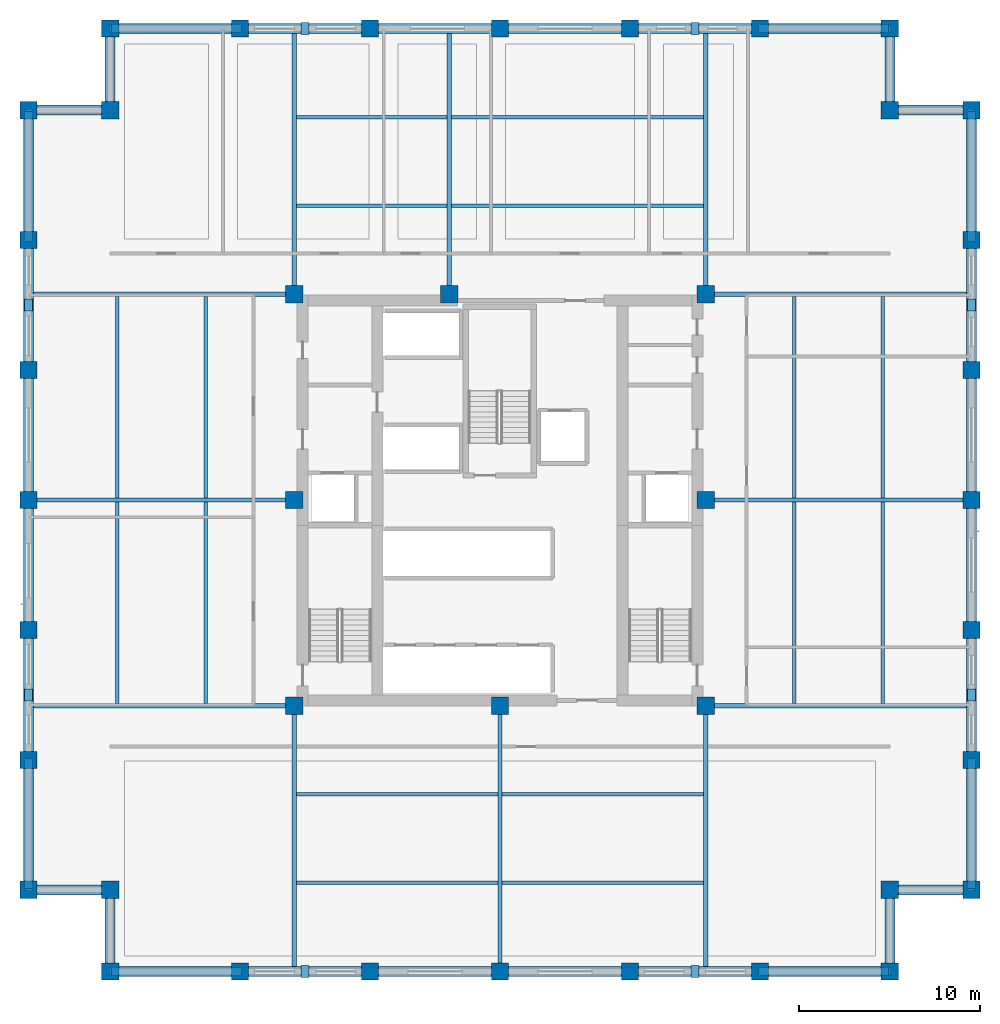
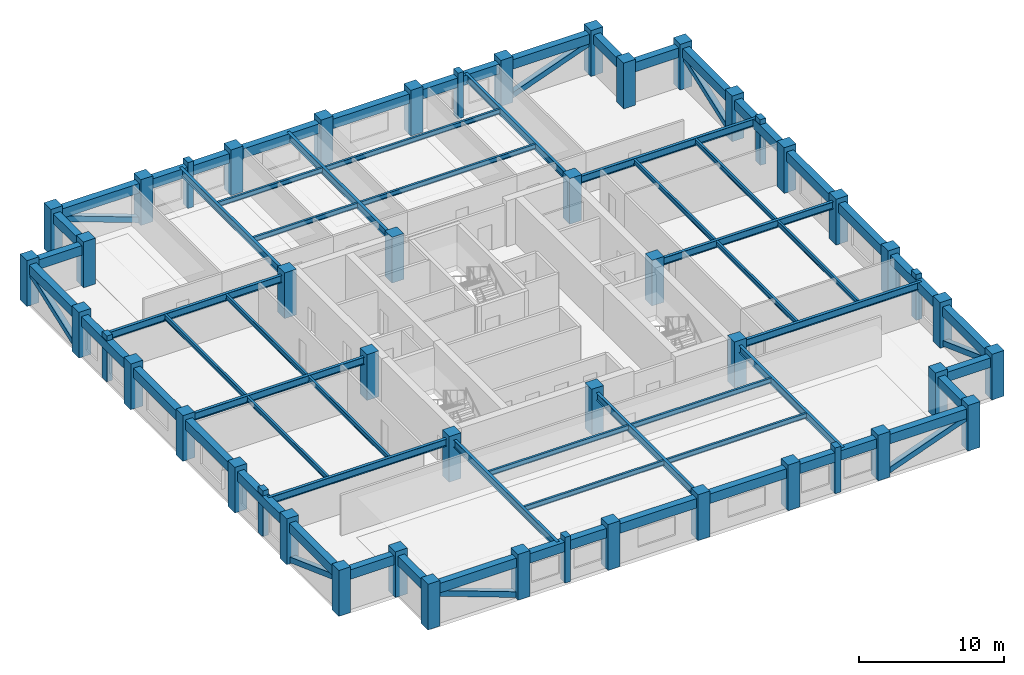
# One storey, part 1 of 12: 60 beams, 40 columns, 16 members.
"""IFC4 building model written with IfcOpenShell, lengths in metres."""

from ifc_helpers import new_model, si_unit, direction, frame, origin, origin_2d, place, context, subcontext, project, spatial, rectangle, hollow_rectangle, i_section, extrude, material, material_profile, profile_set, type_object, element, save


model = new_model("IFC4")

# Units and contexts
model_context = context("Model", 3, precision=1e-05, world=origin(), true_north=direction((0.0, 1.0)))
body_context = subcontext(model_context, "Body", "Model", "MODEL_VIEW")
ifc_project = project(units=[si_unit("LENGTHUNIT", "METRE"), si_unit("AREAUNIT", "SQUARE_METRE"), si_unit("VOLUMEUNIT", "CUBIC_METRE"), si_unit("PLANEANGLEUNIT", "RADIAN"), si_unit("MASSUNIT", "GRAM", prefix="KILO")], contexts=[model_context])

# Site, building, storey
site_placement = place(None, origin())
site = spatial("IfcSite", under=ifc_project, at=site_placement, CompositionType="ELEMENT")
building_placement = place(site_placement, origin())
building = spatial("IfcBuilding", under=site, at=building_placement, Name="Nhamokura Convention Tower", CompositionType="ELEMENT")
storey_placement = place(building_placement, frame((0.0, 0.0, 110.60009765625)))
storey = spatial("IfcBuildingStorey", under=building, at=storey_placement, Name="L26", CompositionType="ELEMENT", Elevation=110.60009765625)

# Columns
ifc_material_1 = material(Name="Concrete C60/75", Category="concrete")
ifc_material_profile_1 = material_profile(ifc_material_1, rectangle(XDim=0.949951171875, YDim=0.949951171875, at=origin_2d()))
ifc_profile_set_1 = profile_set([ifc_material_profile_1], Name="Concrete C60/75")
column_type = type_object("IfcColumnType", Name="TubeColumn_Z2_950", PredefinedType="COLUMN", material=ifc_profile_set_1)
for number, where, z_axis, x_axis, name in (
    (1, (20.64990234375, 20.64990234375, 0.0), (0.0, 0.0, 1.0), (1.0, 0.0, 0.0), "L26 Core Column CC-SW"),
    (2, (32.0, 20.64990234375, 0.0), (0.0, 0.0, 1.0), (1.0, 0.0, 0.0), "L26 Core Column CC-S"),
    (3, (43.35009765625, 20.64990234375, 0.0), (0.0, 0.0, 1.0), (1.0, 0.0, 0.0), "L26 Core Column CC-SE"),
    (4, (43.35009765625, 32.0, 0.0), (0.0, 0.0, 1.0), (1.0, 0.0, 0.0), "L26 Core Column CC-E"),
    (5, (43.35009765625, 43.35009765625, 0.0), (0.0, 0.0, 1.0), (1.0, 0.0, 0.0), "L26 Core Column CC-NE"),
    (6, (29.199951171875, 43.35009765625, 0.0), (0.0, 0.0, 1.0), (1.0, 0.0, 0.0), "L26 Core Column CC-N"),
    (7, (20.64990234375, 43.35009765625, 0.0), (0.0, 0.0, 1.0), (1.0, 0.0, 0.0), "L26 Core Column CC-NW"),
    (8, (20.64990234375, 32.0, 0.0), (0.0, 0.0, 1.0), (1.0, 0.0, 0.0), "L26 Core Column CC-W"),
    (9, (10.5, 6.0, 0.0), (0.0, 0.0, 1.0), (1.0, 0.0, 0.0), "L26 Perimeter Tube Column SW1"),
    (10, (10.5, 10.5, 0.0), (0.0, 0.0, 1.0), (1.0, 0.0, 0.0), "L26 Perimeter Tube Column SW0"),
    (11, (6.0, 10.5, 0.0), (0.0, 0.0, 1.0), (1.0, 0.0, 0.0), "L26 Perimeter Tube Column SW2"),
    (12, (53.5, 6.0, 0.0), (0.0, 0.0, 1.0), (1.0, 0.0, 0.0), "L26 Perimeter Tube Column SE1"),
    (13, (53.5, 10.5, 0.0), (0.0, 0.0, 1.0), (1.0, 0.0, 0.0), "L26 Perimeter Tube Column SE0"),
    (14, (58.0, 10.5, 0.0), (0.0, 0.0, 1.0), (1.0, 0.0, 0.0), "L26 Perimeter Tube Column SE2"),
    (15, (58.0, 53.5, 0.0), (0.0, 0.0, 1.0), (1.0, 0.0, 0.0), "L26 Perimeter Tube Column NE1"),
    (16, (53.5, 53.5, 0.0), (0.0, 0.0, 1.0), (1.0, 0.0, 0.0), "L26 Perimeter Tube Column NE0"),
    (17, (53.5, 58.0, 0.0), (0.0, 0.0, 1.0), (1.0, 0.0, 0.0), "L26 Perimeter Tube Column NE2"),
    (18, (10.5, 58.0, 0.0), (0.0, 0.0, 1.0), (1.0, 0.0, 0.0), "L26 Perimeter Tube Column NW1"),
    (19, (10.5, 53.5, 0.0), (0.0, 0.0, 1.0), (1.0, 0.0, 0.0), "L26 Perimeter Tube Column NW0"),
    (20, (6.0, 53.5, 0.0), (0.0, 0.0, 1.0), (1.0, 0.0, 0.0), "L26 Perimeter Tube Column NW2"),
    (21, (17.666748046875, 6.0, 0.0), (0.0, 0.0, 1.0), (1.0, 0.0, 0.0), "L26 Perimeter Tube Column S1"),
    (22, (17.666748046875, 58.0, 0.0), (0.0, 0.0, 1.0), (1.0, 0.0, 0.0), "L26 Perimeter Tube Column N1"),
    (23, (6.0, 17.666748046875, 0.0), (0.0, 0.0, 1.0), (1.0, 0.0, 0.0), "L26 Perimeter Tube Column W1"),
    (24, (58.0, 17.666748046875, 0.0), (0.0, 0.0, 1.0), (1.0, 0.0, 0.0), "L26 Perimeter Tube Column E1"),
    (25, (24.833251953125, 6.0, 0.0), (0.0, 0.0, 1.0), (1.0, 0.0, 0.0), "L26 Perimeter Tube Column S2"),
    (26, (24.833251953125, 58.0, 0.0), (0.0, 0.0, 1.0), (1.0, 0.0, 0.0), "L26 Perimeter Tube Column N2"),
    (27, (6.0, 24.833251953125, 0.0), (0.0, 0.0, 1.0), (1.0, 0.0, 0.0), "L26 Perimeter Tube Column W2"),
    (28, (58.0, 24.833251953125, 0.0), (0.0, 0.0, 1.0), (1.0, 0.0, 0.0), "L26 Perimeter Tube Column E2"),
    (29, (32.0, 6.0, 0.0), (0.0, 0.0, 1.0), (1.0, 0.0, 0.0), "L26 Perimeter Tube Column S3"),
    (30, (32.0, 58.0, 0.0), (0.0, 0.0, 1.0), (1.0, 0.0, 0.0), "L26 Perimeter Tube Column N3"),
    (31, (6.0, 32.0, 0.0), (0.0, 0.0, 1.0), (1.0, 0.0, 0.0), "L26 Perimeter Tube Column W3"),
    (32, (58.0, 32.0, 0.0), (0.0, 0.0, 1.0), (1.0, 0.0, 0.0), "L26 Perimeter Tube Column E3"),
    (33, (39.166748046875, 6.0, 0.0), (0.0, 0.0, 1.0), (1.0, 0.0, 0.0), "L26 Perimeter Tube Column S4"),
    (34, (39.166748046875, 58.0, 0.0), (0.0, 0.0, 1.0), (1.0, 0.0, 0.0), "L26 Perimeter Tube Column N4"),
    (35, (6.0, 39.166748046875, 0.0), (0.0, 0.0, 1.0), (1.0, 0.0, 0.0), "L26 Perimeter Tube Column W4"),
    (36, (58.0, 39.166748046875, 0.0), (0.0, 0.0, 1.0), (1.0, 0.0, 0.0), "L26 Perimeter Tube Column E4"),
    (37, (46.333251953125, 6.0, 0.0), (0.0, 0.0, 1.0), (1.0, 0.0, 0.0), "L26 Perimeter Tube Column S5"),
    (38, (46.333251953125, 58.0, 0.0), (0.0, 0.0, 1.0), (1.0, 0.0, 0.0), "L26 Perimeter Tube Column N5"),
    (39, (6.0, 46.333251953125, 0.0), (0.0, 0.0, 1.0), (1.0, 0.0, 0.0), "L26 Perimeter Tube Column W5"),
    (40, (58.0, 46.333251953125, 0.0), (0.0, 0.0, 1.0), (1.0, 0.0, 0.0), "L26 Perimeter Tube Column E5"),
):
    element("IfcColumn", number, at=place(storey_placement, frame(where, z_axis=z_axis, x_axis=x_axis)), inside=storey, type_object=column_type, Name=name, PredefinedType="COLUMN", context=body_context, shape_type="SweptSolid", body=[
        extrude(rectangle(XDim=0.949951171875, YDim=0.949951171875, at=origin_2d()), origin(), (0.0, 0.0, 1.0), 3.849853515625),
    ])

# Members
ifc_material_2 = material(Name="Bronze-pigmented precast concrete C45/55", Category="concrete")
ifc_material_profile_2 = material_profile(ifc_material_2, rectangle(XDim=0.449951171875, YDim=0.64990234375, at=origin_2d()))
ifc_profile_set_2 = profile_set([ifc_material_profile_2], Name="Bronze-pigmented precast concrete C45/55")
member_type_1 = type_object("IfcMemberType", Name="BronzePilaster_650", PredefinedType="USERDEFINED", material=ifc_profile_set_2)
for number, where, z_axis, x_axis, name in (
    (41, (21.25, 6.0, 0.0), (0.0, 0.0, 1.0), (1.0, 0.0, 0.0), "L26 Engaged Frame Pilaster SOUTH 1"),
    (42, (42.75, 6.0, 0.0), (0.0, 0.0, 1.0), (1.0, 0.0, 0.0), "L26 Engaged Frame Pilaster SOUTH 4"),
    (43, (21.25, 58.0, 0.0), (0.0, 0.0, 1.0), (1.0, 0.0, 0.0), "L26 Engaged Frame Pilaster NORTH 1"),
    (44, (42.75, 58.0, 0.0), (0.0, 0.0, 1.0), (1.0, 0.0, 0.0), "L26 Engaged Frame Pilaster NORTH 4"),
    (45, (6.0, 21.25, 0.0), (0.0, 0.0, 1.0), (1.0, 0.0, 0.0), "L26 Engaged Frame Pilaster WEST 1"),
    (46, (6.0, 42.75, 0.0), (0.0, 0.0, 1.0), (1.0, 0.0, 0.0), "L26 Engaged Frame Pilaster WEST 4"),
    (47, (58.0, 21.25, 0.0), (0.0, 0.0, 1.0), (1.0, 0.0, 0.0), "L26 Engaged Frame Pilaster EAST 1"),
    (48, (58.0, 42.75, 0.0), (0.0, 0.0, 1.0), (1.0, 0.0, 0.0), "L26 Engaged Frame Pilaster EAST 4"),
):
    element("IfcMember", number, at=place(storey_placement, frame(where, z_axis=z_axis, x_axis=x_axis)), inside=storey, type_object=member_type_1, Name=name, ObjectType="PILASTER_TRIM", PredefinedType="USERDEFINED", context=body_context, shape_type="SweptSolid", body=[
        extrude(rectangle(XDim=0.449951171875, YDim=0.64990234375, at=origin_2d()), origin(), (0.0, 0.0, 1.0), 3.849853515625),
    ])

# Beams
ifc_material_3 = material(Name="Steel ASTM A992 Gr 50", Category="steel")
ifc_material_profile_3 = material_profile(ifc_material_3, i_section(OverallWidth=0.177001953125, OverallDepth=0.403076171875, WebThickness=0.007568359375, FlangeThickness=0.010986328125, at=origin_2d()))
ifc_profile_set_3 = profile_set([ifc_material_profile_3], Name="Steel ASTM A992 Gr 50")
beam_type_1 = type_object("IfcBeamType", Name="FloorJoist_W410X53", PredefinedType="JOIST", material=ifc_profile_set_3)
for number, where, z_axis, x_axis, name in (
    (49, (20.761962890625, 10.88330078125, 3.228515625), (1.0, 0.0, 0.0), (0.0, 1.0, 0.0), "L26 Composite Floor Joist S1A"),
    (50, (32.112060546875, 10.88330078125, 3.228515625), (1.0, 0.0, 0.0), (0.0, 1.0, 0.0), "L26 Composite Floor Joist S1B"),
    (51, (20.761962890625, 15.7666015625, 3.228515625), (1.0, 0.0, 0.0), (0.0, 1.0, 0.0), "L26 Composite Floor Joist S2A"),
    (52, (32.112060546875, 15.7666015625, 3.228515625), (1.0, 0.0, 0.0), (0.0, 1.0, 0.0), "L26 Composite Floor Joist S2B"),
):
    element("IfcBeam", number, at=place(storey_placement, frame(where, z_axis=z_axis, x_axis=x_axis)), inside=storey, type_object=beam_type_1, Name=name, PredefinedType="JOIST", context=body_context, shape_type="SweptSolid", body=[
        extrude(i_section(OverallWidth=0.177001953125, OverallDepth=0.403076171875, WebThickness=0.007568359375, FlangeThickness=0.010986328125, at=origin_2d()), origin(), (0.0, 0.0, 1.0), 11.1259765625),
    ])
beam_1_placement = place(storey_placement, frame((20.761962890625, 48.2333984375, 3.228515625), z_axis=(1.0, 0.0, 0.0), x_axis=(0.0, 1.0, 0.0)))
element("IfcBeam", 53, at=beam_1_placement, inside=storey, type_object=beam_type_1, Name="L26 Composite Floor Joist N1A", PredefinedType="JOIST", context=body_context, shape_type="SweptSolid", body=[
    extrude(i_section(OverallWidth=0.177001953125, OverallDepth=0.403076171875, WebThickness=0.007568359375, FlangeThickness=0.010986328125, at=origin_2d()), origin(), (0.0, 0.0, 1.0), 8.325927734375),
])
beam_2_placement = place(storey_placement, frame((29.31201171875, 48.2333984375, 3.228515625), z_axis=(1.0, 0.0, 0.0), x_axis=(0.0, 1.0, 0.0)))
element("IfcBeam", 54, at=beam_2_placement, inside=storey, type_object=beam_type_1, Name="L26 Composite Floor Joist N1B", PredefinedType="JOIST", context=body_context, shape_type="SweptSolid", body=[
    extrude(i_section(OverallWidth=0.177001953125, OverallDepth=0.403076171875, WebThickness=0.007568359375, FlangeThickness=0.010986328125, at=origin_2d()), origin(), (0.0, 0.0, 1.0), 13.926025390625),
])
beam_3_placement = place(storey_placement, frame((20.761962890625, 53.11669921875, 3.228515625), z_axis=(1.0, 0.0, 0.0), x_axis=(0.0, 1.0, 0.0)))
element("IfcBeam", 55, at=beam_3_placement, inside=storey, type_object=beam_type_1, Name="L26 Composite Floor Joist N2A", PredefinedType="JOIST", context=body_context, shape_type="SweptSolid", body=[
    extrude(i_section(OverallWidth=0.177001953125, OverallDepth=0.403076171875, WebThickness=0.007568359375, FlangeThickness=0.010986328125, at=origin_2d()), origin(), (0.0, 0.0, 1.0), 8.325927734375),
])
beam_4_placement = place(storey_placement, frame((29.31201171875, 53.11669921875, 3.228515625), z_axis=(1.0, 0.0, 0.0), x_axis=(0.0, 1.0, 0.0)))
element("IfcBeam", 56, at=beam_4_placement, inside=storey, type_object=beam_type_1, Name="L26 Composite Floor Joist N2B", PredefinedType="JOIST", context=body_context, shape_type="SweptSolid", body=[
    extrude(i_section(OverallWidth=0.177001953125, OverallDepth=0.403076171875, WebThickness=0.007568359375, FlangeThickness=0.010986328125, at=origin_2d()), origin(), (0.0, 0.0, 1.0), 13.926025390625),
])
for number, where, z_axis, x_axis, name in (
    (57, (10.88330078125, 20.761962890625, 3.228515625), (0.0, 1.0, 0.0), (-1.0, 0.0, 0.0), "L26 Composite Floor Joist W1A"),
    (58, (10.88330078125, 32.112060546875, 3.228515625), (0.0, 1.0, 0.0), (-1.0, 0.0, 0.0), "L26 Composite Floor Joist W1B"),
    (59, (15.7666015625, 20.761962890625, 3.228515625), (0.0, 1.0, 0.0), (-1.0, 0.0, 0.0), "L26 Composite Floor Joist W2A"),
    (60, (15.7666015625, 32.112060546875, 3.228515625), (0.0, 1.0, 0.0), (-1.0, 0.0, 0.0), "L26 Composite Floor Joist W2B"),
    (61, (48.2333984375, 20.761962890625, 3.228515625), (0.0, 1.0, 0.0), (-1.0, 0.0, 0.0), "L26 Composite Floor Joist E1A"),
    (62, (48.2333984375, 32.112060546875, 3.228515625), (0.0, 1.0, 0.0), (-1.0, 0.0, 0.0), "L26 Composite Floor Joist E1B"),
    (63, (53.11669921875, 20.761962890625, 3.228515625), (0.0, 1.0, 0.0), (-1.0, 0.0, 0.0), "L26 Composite Floor Joist E2A"),
    (64, (53.11669921875, 32.112060546875, 3.228515625), (0.0, 1.0, 0.0), (-1.0, 0.0, 0.0), "L26 Composite Floor Joist E2B"),
):
    element("IfcBeam", number, at=place(storey_placement, frame(where, z_axis=z_axis, x_axis=x_axis)), inside=storey, type_object=beam_type_1, Name=name, PredefinedType="JOIST", context=body_context, shape_type="SweptSolid", body=[
        extrude(i_section(OverallWidth=0.177001953125, OverallDepth=0.403076171875, WebThickness=0.007568359375, FlangeThickness=0.010986328125, at=origin_2d()), origin(), (0.0, 0.0, 1.0), 11.1259765625),
    ])
ifc_material_4 = material(Name="Steel ASTM A992 Gr 50", Category="steel")
ifc_material_profile_4 = material_profile(ifc_material_4, i_section(OverallWidth=0.22802734375, OverallDepth=0.60791015625, WebThickness=0.01123046875, FlangeThickness=0.017333984375, at=origin_2d()))
ifc_profile_set_4 = profile_set([ifc_material_profile_4], Name="Steel ASTM A992 Gr 50")
beam_type_2 = type_object("IfcBeamType", Name="PrimaryGirder_W610X113", PredefinedType="BEAM", material=ifc_profile_set_4)
for number, where, z_axis, x_axis, name in (
    (65, (20.64990234375, 6.0, 3.1259765625), (0.0, 1.0, 0.0), (-1.0, 0.0, 0.0), "L26 Primary Floor Girder PG-S1"),
    (66, (32.0, 6.0, 3.1259765625), (0.0, 1.0, 0.0), (-1.0, 0.0, 0.0), "L26 Primary Floor Girder PG-S2"),
    (67, (43.35009765625, 6.0, 3.1259765625), (0.0, 1.0, 0.0), (-1.0, 0.0, 0.0), "L26 Primary Floor Girder PG-S3"),
    (68, (20.64990234375, 43.35009765625, 3.1259765625), (0.0, 1.0, 0.0), (-1.0, 0.0, 0.0), "L26 Primary Floor Girder PG-N1"),
    (69, (29.199951171875, 43.35009765625, 3.1259765625), (0.0, 1.0, 0.0), (-1.0, 0.0, 0.0), "L26 Primary Floor Girder PG-N2"),
    (70, (43.35009765625, 43.35009765625, 3.1259765625), (0.0, 1.0, 0.0), (-1.0, 0.0, 0.0), "L26 Primary Floor Girder PG-N3"),
    (71, (6.0, 20.64990234375, 3.1259765625), (1.0, 0.0, 0.0), (0.0, 1.0, 0.0), "L26 Primary Floor Girder PG-W1"),
    (72, (6.0, 32.0, 3.1259765625), (1.0, 0.0, 0.0), (0.0, 1.0, 0.0), "L26 Primary Floor Girder PG-W2"),
    (73, (6.0, 43.35009765625, 3.1259765625), (1.0, 0.0, 0.0), (0.0, 1.0, 0.0), "L26 Primary Floor Girder PG-W3"),
    (74, (43.35009765625, 20.64990234375, 3.1259765625), (1.0, 0.0, 0.0), (0.0, 1.0, 0.0), "L26 Primary Floor Girder PG-E1"),
    (75, (43.35009765625, 32.0, 3.1259765625), (1.0, 0.0, 0.0), (0.0, 1.0, 0.0), "L26 Primary Floor Girder PG-E2"),
    (76, (43.35009765625, 43.35009765625, 3.1259765625), (1.0, 0.0, 0.0), (0.0, 1.0, 0.0), "L26 Primary Floor Girder PG-E3"),
):
    element("IfcBeam", number, at=place(storey_placement, frame(where, z_axis=z_axis, x_axis=x_axis)), inside=storey, type_object=beam_type_2, Name=name, PredefinedType="BEAM", context=body_context, shape_type="SweptSolid", body=[
        extrude(i_section(OverallWidth=0.22802734375, OverallDepth=0.60791015625, WebThickness=0.01123046875, FlangeThickness=0.017333984375, at=origin_2d()), origin(), (0.0, 0.0, 1.0), 14.64990234375),
    ])

# Members
ifc_material_5 = material(Name="Steel ASTM A572 Gr 50", Category="steel")
ifc_material_profile_5 = material_profile(ifc_material_5, hollow_rectangle(XDim=0.449951171875, YDim=0.449951171875, WallThickness=0.02197265625, at=origin_2d()))
ifc_profile_set_5 = profile_set([ifc_material_profile_5], Name="Steel ASTM A572 Gr 50")
member_type_2 = type_object("IfcMemberType", Name="TubeBrace_HSS450", PredefinedType="BRACE", material=ifc_profile_set_5)
for number, where, z_axis, x_axis, name in (
    (77, (17.666748046875, 6.0, 0.14990234375), (-0.938788424992, 0.0, 0.344494256993), (0.0, -1.0, 0.0), "L26 Perimeter Tube Brace SOUTH Bay 0"),
    (78, (46.333251953125, 6.0, 0.14990234375), (0.938788424992, 0.0, 0.344494256993), (0.0, 1.0, 0.0), "L26 Perimeter Tube Brace SOUTH Bay 5"),
    (79, (17.666748046875, 58.0, 0.14990234375), (-0.938788424992, 0.0, 0.344494256993), (0.0, -1.0, 0.0), "L26 Perimeter Tube Brace NORTH Bay 0"),
    (80, (46.333251953125, 58.0, 0.14990234375), (0.938788424992, 0.0, 0.344494256993), (0.0, 1.0, 0.0), "L26 Perimeter Tube Brace NORTH Bay 5"),
    (81, (6.0, 17.666748046875, 0.14990234375), (0.0, -0.938788424992, 0.344494256993), (1.0, 0.0, 0.0), "L26 Perimeter Tube Brace WEST Bay 0"),
    (82, (6.0, 46.333251953125, 0.14990234375), (0.0, 0.938788424992, 0.344494256993), (-1.0, 0.0, 0.0), "L26 Perimeter Tube Brace WEST Bay 5"),
    (83, (58.0, 17.666748046875, 0.14990234375), (0.0, -0.938788424992, 0.344494256993), (1.0, 0.0, 0.0), "L26 Perimeter Tube Brace EAST Bay 0"),
    (84, (58.0, 46.333251953125, 0.14990234375), (0.0, 0.938788424992, 0.344494256993), (-1.0, 0.0, 0.0), "L26 Perimeter Tube Brace EAST Bay 5"),
):
    element("IfcMember", number, at=place(storey_placement, frame(where, z_axis=z_axis, x_axis=x_axis)), inside=storey, type_object=member_type_2, Name=name, PredefinedType="BRACE", context=body_context, shape_type="SweptSolid", body=[
        extrude(hollow_rectangle(XDim=0.449951171875, YDim=0.449951171875, WallThickness=0.02197265625, at=origin_2d()), origin(), (0.0, 0.0, 1.0), 7.634033203125),
    ])

# Beams
ifc_material_6 = material(Name="Concrete C50/60", Category="concrete")
ifc_material_profile_6 = material_profile(ifc_material_6, rectangle(XDim=0.550048828125, YDim=0.800048828125, at=origin_2d()))
ifc_profile_set_6 = profile_set([ifc_material_profile_6], Name="Concrete C50/60")
beam_type_3 = type_object("IfcBeamType", Name="TubeSpandrel_800", PredefinedType="SPANDREL", material=ifc_profile_set_6)
beam_5_placement = place(storey_placement, frame((10.5, 6.0, 3.02978515625), z_axis=(1.0, 0.0, 0.0), x_axis=(0.0, 1.0, 0.0)))
element("IfcBeam", 85, at=beam_5_placement, inside=storey, type_object=beam_type_3, Name="L26 Perimeter Spandrel SOUTH 1", PredefinedType="SPANDREL", context=body_context, shape_type="SweptSolid", body=[
    extrude(rectangle(XDim=0.550048828125, YDim=0.800048828125, at=origin_2d()), origin(), (0.0, 0.0, 1.0), 7.166748046875),
])
beam_6_placement = place(storey_placement, frame((17.666748046875, 6.0, 3.02978515625), z_axis=(1.0, 0.0, 0.0), x_axis=(0.0, 1.0, 0.0)))
element("IfcBeam", 86, at=beam_6_placement, inside=storey, type_object=beam_type_3, Name="L26 Perimeter Spandrel SOUTH 2", PredefinedType="SPANDREL", context=body_context, shape_type="SweptSolid", body=[
    extrude(rectangle(XDim=0.550048828125, YDim=0.800048828125, at=origin_2d()), origin(), (0.0, 0.0, 1.0), 7.16650390625),
])
for number, where, z_axis, x_axis, name in (
    (87, (24.833251953125, 6.0, 3.02978515625), (1.0, 0.0, 0.0), (0.0, 1.0, 0.0), "L26 Perimeter Spandrel SOUTH 3"),
    (88, (32.0, 6.0, 3.02978515625), (1.0, 0.0, 0.0), (0.0, 1.0, 0.0), "L26 Perimeter Spandrel SOUTH 4"),
):
    element("IfcBeam", number, at=place(storey_placement, frame(where, z_axis=z_axis, x_axis=x_axis)), inside=storey, type_object=beam_type_3, Name=name, PredefinedType="SPANDREL", context=body_context, shape_type="SweptSolid", body=[
        extrude(rectangle(XDim=0.550048828125, YDim=0.800048828125, at=origin_2d()), origin(), (0.0, 0.0, 1.0), 7.166748046875),
    ])
beam_7_placement = place(storey_placement, frame((39.166748046875, 6.0, 3.02978515625), z_axis=(1.0, 0.0, 0.0), x_axis=(0.0, 1.0, 0.0)))
element("IfcBeam", 89, at=beam_7_placement, inside=storey, type_object=beam_type_3, Name="L26 Perimeter Spandrel SOUTH 5", PredefinedType="SPANDREL", context=body_context, shape_type="SweptSolid", body=[
    extrude(rectangle(XDim=0.550048828125, YDim=0.800048828125, at=origin_2d()), origin(), (0.0, 0.0, 1.0), 7.16650390625),
])
for number, where, z_axis, x_axis, name in (
    (90, (46.333251953125, 6.0, 3.02978515625), (1.0, 0.0, 0.0), (0.0, 1.0, 0.0), "L26 Perimeter Spandrel SOUTH 6"),
    (91, (10.5, 58.0, 3.02978515625), (1.0, 0.0, 0.0), (0.0, 1.0, 0.0), "L26 Perimeter Spandrel NORTH 1"),
):
    element("IfcBeam", number, at=place(storey_placement, frame(where, z_axis=z_axis, x_axis=x_axis)), inside=storey, type_object=beam_type_3, Name=name, PredefinedType="SPANDREL", context=body_context, shape_type="SweptSolid", body=[
        extrude(rectangle(XDim=0.550048828125, YDim=0.800048828125, at=origin_2d()), origin(), (0.0, 0.0, 1.0), 7.166748046875),
    ])
beam_8_placement = place(storey_placement, frame((17.666748046875, 58.0, 3.02978515625), z_axis=(1.0, 0.0, 0.0), x_axis=(0.0, 1.0, 0.0)))
element("IfcBeam", 92, at=beam_8_placement, inside=storey, type_object=beam_type_3, Name="L26 Perimeter Spandrel NORTH 2", PredefinedType="SPANDREL", context=body_context, shape_type="SweptSolid", body=[
    extrude(rectangle(XDim=0.550048828125, YDim=0.800048828125, at=origin_2d()), origin(), (0.0, 0.0, 1.0), 7.16650390625),
])
for number, where, z_axis, x_axis, name in (
    (93, (24.833251953125, 58.0, 3.02978515625), (1.0, 0.0, 0.0), (0.0, 1.0, 0.0), "L26 Perimeter Spandrel NORTH 3"),
    (94, (32.0, 58.0, 3.02978515625), (1.0, 0.0, 0.0), (0.0, 1.0, 0.0), "L26 Perimeter Spandrel NORTH 4"),
):
    element("IfcBeam", number, at=place(storey_placement, frame(where, z_axis=z_axis, x_axis=x_axis)), inside=storey, type_object=beam_type_3, Name=name, PredefinedType="SPANDREL", context=body_context, shape_type="SweptSolid", body=[
        extrude(rectangle(XDim=0.550048828125, YDim=0.800048828125, at=origin_2d()), origin(), (0.0, 0.0, 1.0), 7.166748046875),
    ])
beam_9_placement = place(storey_placement, frame((39.166748046875, 58.0, 3.02978515625), z_axis=(1.0, 0.0, 0.0), x_axis=(0.0, 1.0, 0.0)))
element("IfcBeam", 95, at=beam_9_placement, inside=storey, type_object=beam_type_3, Name="L26 Perimeter Spandrel NORTH 5", PredefinedType="SPANDREL", context=body_context, shape_type="SweptSolid", body=[
    extrude(rectangle(XDim=0.550048828125, YDim=0.800048828125, at=origin_2d()), origin(), (0.0, 0.0, 1.0), 7.16650390625),
])
for number, where, z_axis, x_axis, name in (
    (96, (46.333251953125, 58.0, 3.02978515625), (1.0, 0.0, 0.0), (0.0, 1.0, 0.0), "L26 Perimeter Spandrel NORTH 6"),
    (97, (6.0, 10.5, 3.02978515625), (0.0, 1.0, 0.0), (-1.0, 0.0, 0.0), "L26 Perimeter Spandrel WEST 1"),
):
    element("IfcBeam", number, at=place(storey_placement, frame(where, z_axis=z_axis, x_axis=x_axis)), inside=storey, type_object=beam_type_3, Name=name, PredefinedType="SPANDREL", context=body_context, shape_type="SweptSolid", body=[
        extrude(rectangle(XDim=0.550048828125, YDim=0.800048828125, at=origin_2d()), origin(), (0.0, 0.0, 1.0), 7.166748046875),
    ])
beam_10_placement = place(storey_placement, frame((6.0, 17.666748046875, 3.02978515625), z_axis=(0.0, 1.0, 0.0), x_axis=(-1.0, 0.0, 0.0)))
element("IfcBeam", 98, at=beam_10_placement, inside=storey, type_object=beam_type_3, Name="L26 Perimeter Spandrel WEST 2", PredefinedType="SPANDREL", context=body_context, shape_type="SweptSolid", body=[
    extrude(rectangle(XDim=0.550048828125, YDim=0.800048828125, at=origin_2d()), origin(), (0.0, 0.0, 1.0), 7.16650390625),
])
for number, where, z_axis, x_axis, name in (
    (99, (6.0, 24.833251953125, 3.02978515625), (0.0, 1.0, 0.0), (-1.0, 0.0, 0.0), "L26 Perimeter Spandrel WEST 3"),
    (100, (6.0, 32.0, 3.02978515625), (0.0, 1.0, 0.0), (-1.0, 0.0, 0.0), "L26 Perimeter Spandrel WEST 4"),
):
    element("IfcBeam", number, at=place(storey_placement, frame(where, z_axis=z_axis, x_axis=x_axis)), inside=storey, type_object=beam_type_3, Name=name, PredefinedType="SPANDREL", context=body_context, shape_type="SweptSolid", body=[
        extrude(rectangle(XDim=0.550048828125, YDim=0.800048828125, at=origin_2d()), origin(), (0.0, 0.0, 1.0), 7.166748046875),
    ])
beam_11_placement = place(storey_placement, frame((6.0, 39.166748046875, 3.02978515625), z_axis=(0.0, 1.0, 0.0), x_axis=(-1.0, 0.0, 0.0)))
element("IfcBeam", 101, at=beam_11_placement, inside=storey, type_object=beam_type_3, Name="L26 Perimeter Spandrel WEST 5", PredefinedType="SPANDREL", context=body_context, shape_type="SweptSolid", body=[
    extrude(rectangle(XDim=0.550048828125, YDim=0.800048828125, at=origin_2d()), origin(), (0.0, 0.0, 1.0), 7.16650390625),
])
for number, where, z_axis, x_axis, name in (
    (102, (6.0, 46.333251953125, 3.02978515625), (0.0, 1.0, 0.0), (-1.0, 0.0, 0.0), "L26 Perimeter Spandrel WEST 6"),
    (103, (58.0, 10.5, 3.02978515625), (0.0, 1.0, 0.0), (-1.0, 0.0, 0.0), "L26 Perimeter Spandrel EAST 1"),
):
    element("IfcBeam", number, at=place(storey_placement, frame(where, z_axis=z_axis, x_axis=x_axis)), inside=storey, type_object=beam_type_3, Name=name, PredefinedType="SPANDREL", context=body_context, shape_type="SweptSolid", body=[
        extrude(rectangle(XDim=0.550048828125, YDim=0.800048828125, at=origin_2d()), origin(), (0.0, 0.0, 1.0), 7.166748046875),
    ])
beam_12_placement = place(storey_placement, frame((58.0, 17.666748046875, 3.02978515625), z_axis=(0.0, 1.0, 0.0), x_axis=(-1.0, 0.0, 0.0)))
element("IfcBeam", 104, at=beam_12_placement, inside=storey, type_object=beam_type_3, Name="L26 Perimeter Spandrel EAST 2", PredefinedType="SPANDREL", context=body_context, shape_type="SweptSolid", body=[
    extrude(rectangle(XDim=0.550048828125, YDim=0.800048828125, at=origin_2d()), origin(), (0.0, 0.0, 1.0), 7.16650390625),
])
for number, where, z_axis, x_axis, name in (
    (105, (58.0, 24.833251953125, 3.02978515625), (0.0, 1.0, 0.0), (-1.0, 0.0, 0.0), "L26 Perimeter Spandrel EAST 3"),
    (106, (58.0, 32.0, 3.02978515625), (0.0, 1.0, 0.0), (-1.0, 0.0, 0.0), "L26 Perimeter Spandrel EAST 4"),
):
    element("IfcBeam", number, at=place(storey_placement, frame(where, z_axis=z_axis, x_axis=x_axis)), inside=storey, type_object=beam_type_3, Name=name, PredefinedType="SPANDREL", context=body_context, shape_type="SweptSolid", body=[
        extrude(rectangle(XDim=0.550048828125, YDim=0.800048828125, at=origin_2d()), origin(), (0.0, 0.0, 1.0), 7.166748046875),
    ])
beam_13_placement = place(storey_placement, frame((58.0, 39.166748046875, 3.02978515625), z_axis=(0.0, 1.0, 0.0), x_axis=(-1.0, 0.0, 0.0)))
element("IfcBeam", 107, at=beam_13_placement, inside=storey, type_object=beam_type_3, Name="L26 Perimeter Spandrel EAST 5", PredefinedType="SPANDREL", context=body_context, shape_type="SweptSolid", body=[
    extrude(rectangle(XDim=0.550048828125, YDim=0.800048828125, at=origin_2d()), origin(), (0.0, 0.0, 1.0), 7.16650390625),
])
beam_14_placement = place(storey_placement, frame((58.0, 46.333251953125, 3.02978515625), z_axis=(0.0, 1.0, 0.0), x_axis=(-1.0, 0.0, 0.0)))
element("IfcBeam", 108, at=beam_14_placement, inside=storey, type_object=beam_type_3, Name="L26 Perimeter Spandrel EAST 6", PredefinedType="SPANDREL", context=body_context, shape_type="SweptSolid", body=[
    extrude(rectangle(XDim=0.550048828125, YDim=0.800048828125, at=origin_2d()), origin(), (0.0, 0.0, 1.0), 7.166748046875),
])
for number, where, z_axis, x_axis, name in (
    (109, (10.5, 6.0, 3.02978515625), (0.0, 1.0, 0.0), (-1.0, 0.0, 0.0), "L26 Notch Spandrel SW1"),
    (110, (10.5, 10.5, 3.02978515625), (-1.0, 0.0, 0.0), (0.0, -1.0, 0.0), "L26 Notch Spandrel SW2"),
    (111, (53.5, 6.0, 3.02978515625), (0.0, 1.0, 0.0), (-1.0, 0.0, 0.0), "L26 Notch Spandrel SE1"),
    (112, (53.5, 10.5, 3.02978515625), (1.0, 0.0, 0.0), (0.0, 1.0, 0.0), "L26 Notch Spandrel SE2"),
    (113, (58.0, 53.5, 3.02978515625), (-1.0, 0.0, 0.0), (0.0, -1.0, 0.0), "L26 Notch Spandrel NE1"),
    (114, (53.5, 53.5, 3.02978515625), (0.0, 1.0, 0.0), (-1.0, 0.0, 0.0), "L26 Notch Spandrel NE2"),
    (115, (10.5, 58.0, 3.02978515625), (0.0, -1.0, 0.0), (1.0, 0.0, 0.0), "L26 Notch Spandrel NW1"),
    (116, (10.5, 53.5, 3.02978515625), (-1.0, 0.0, 0.0), (0.0, -1.0, 0.0), "L26 Notch Spandrel NW2"),
):
    element("IfcBeam", number, at=place(storey_placement, frame(where, z_axis=z_axis, x_axis=x_axis)), inside=storey, type_object=beam_type_3, Name=name, PredefinedType="SPANDREL", context=body_context, shape_type="SweptSolid", body=[
        extrude(rectangle(XDim=0.550048828125, YDim=0.800048828125, at=origin_2d()), origin(), (0.0, 0.0, 1.0), 4.5),
    ])

save(model, "model.ifc")
